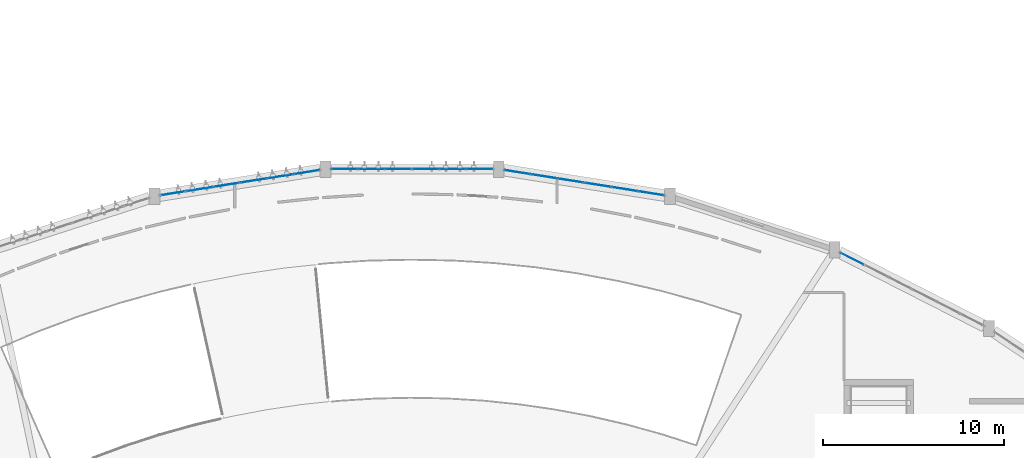
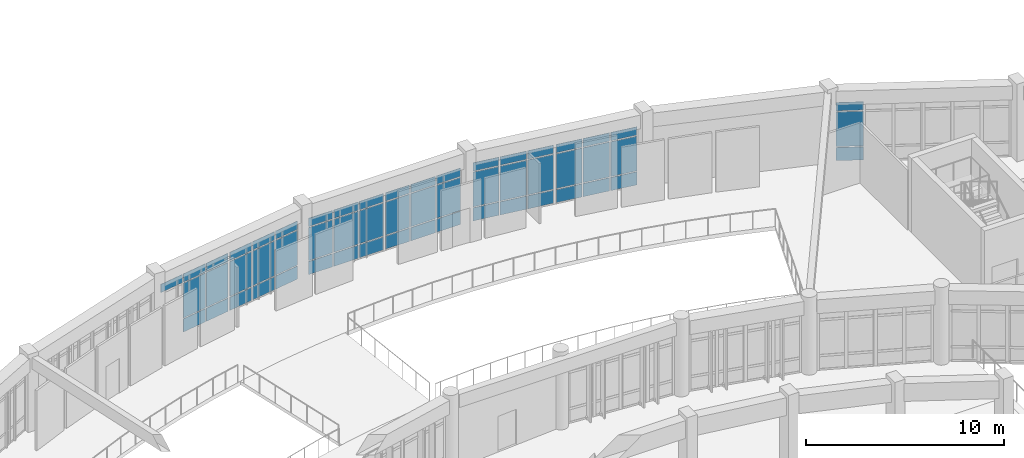
# One storey, part 43 of 65: 55 plates, 7 elements without a shape of their own.
"""IFC4 building model written with IfcOpenShell, lengths in metres."""

from ifc_helpers import new_model, si_unit, direction, frame, origin, origin_2d, place, context, subcontext, project, spatial, rectangle, extrude, material, layer, layer_set, type_object, element, aggregate, save


model = new_model("IFC4")

# Units and contexts
model_context = context("Model", 3, precision=1e-05, world=origin(), true_north=direction((0.0, 1.0)))
body_context = subcontext(model_context, "Body", "Model", "MODEL_VIEW")
ifc_project = project(units=[si_unit("LENGTHUNIT", "METRE"), si_unit("AREAUNIT", "SQUARE_METRE"), si_unit("VOLUMEUNIT", "CUBIC_METRE"), si_unit("PLANEANGLEUNIT", "RADIAN"), si_unit("MASSUNIT", "GRAM", prefix="KILO")], contexts=[model_context])

# Site, building, storey
site_placement = place(None, origin())
site = spatial("IfcSite", under=ifc_project, at=site_placement, CompositionType="ELEMENT")
building_placement = place(site_placement, origin())
building = spatial("IfcBuilding", under=site, at=building_placement, Name="Miralva Faculty of Natural Sciences", CompositionType="ELEMENT")
storey_placement = place(building_placement, frame((0.0, 0.0, 10.199951171875)))
storey = spatial("IfcBuildingStorey", under=building, at=storey_placement, Name="L02", CompositionType="ELEMENT", Elevation=10.199951171875)

# Curtain wall, plates
ifc_material = material(Name="Laminated solar-control glass", Category="glass")
ifc_layer_1 = layer(ifc_material, 0.179931640625, Name="CW-ARC-L01")
ifc_layer_set_1 = layer_set([ifc_layer_1], Name="Laminated solar-control glass")
curtain_wall_type = type_object("IfcCurtainWallType", Name="CW-ARC-L01", PredefinedType="USERDEFINED", material=ifc_layer_set_1)
curtain_wall_1_placement = place(storey_placement, origin())
curtain_wall_1 = element("IfcCurtainWall", 1, at=curtain_wall_1_placement, inside=storey, type_object=curtain_wall_type, Name="Curtain wall CW-02 L02-83", ObjectType="UNITISED CURTAIN WALL", PredefinedType="USERDEFINED")
ifc_layer_2 = layer(ifc_material, 0.028076171875, Name="PNL-P01")
ifc_layer_set_2 = layer_set([ifc_layer_2], Name="Laminated solar-control glass")
plate_type = type_object("IfcPlateType", Name="PNL-P01", PredefinedType="CURTAIN_PANEL", material=ifc_layer_set_2)
plate_1_placement = place(storey_placement, frame((76.79833984375, 38.47900390625, 3.13525390625), z_axis=(0.0, 0.0, 1.0), x_axis=(0.987688816642, 0.156431459367, 0.0)))
plate_1 = element("IfcPlate", 2, at=plate_1_placement, type_object=plate_type, Name="CW-02 panel 1.3", PredefinedType="CURTAIN_PANEL", context=body_context, shape_type="SweptSolid", body=[
    extrude(rectangle(XDim=1.40283203125, YDim=0.028076171875, at=origin_2d()), origin(), (0.0, 0.0, 1.0), 0.510009765625),
])
plate_2_placement = place(storey_placement, frame((78.26416015625, 38.711181640625, 0.06005859375), z_axis=(0.0, 0.0, 1.0), x_axis=(0.987688816642, 0.156431459367, 0.0)))
plate_2 = element("IfcPlate", 3, at=plate_2_placement, type_object=plate_type, Name="CW-02 panel 2.1", PredefinedType="CURTAIN_PANEL", context=body_context, shape_type="SweptSolid", body=[
    extrude(rectangle(XDim=1.435302734375, YDim=0.028076171875, at=origin_2d()), origin(), (0.0, 0.0, 1.0), 0.81005859375),
])
plate_3_placement = place(storey_placement, frame((78.26416015625, 38.711181640625, 0.929931640625), z_axis=(0.0, 0.0, 1.0), x_axis=(0.987688816642, 0.156431459367, 0.0)))
plate_3 = element("IfcPlate", 4, at=plate_3_placement, type_object=plate_type, Name="CW-02 panel 2.2", PredefinedType="CURTAIN_PANEL", context=body_context, shape_type="SweptSolid", body=[
    extrude(rectangle(XDim=1.435302734375, YDim=0.028076171875, at=origin_2d()), origin(), (0.0, 0.0, 1.0), 2.14501953125),
])
plate_4_placement = place(storey_placement, frame((78.26416015625, 38.711181640625, 3.13525390625), z_axis=(0.0, 0.0, 1.0), x_axis=(0.987688816642, 0.156431459367, 0.0)))
plate_4 = element("IfcPlate", 5, at=plate_4_placement, type_object=plate_type, Name="CW-02 panel 2.3", PredefinedType="CURTAIN_PANEL", context=body_context, shape_type="SweptSolid", body=[
    extrude(rectangle(XDim=1.435302734375, YDim=0.028076171875, at=origin_2d()), origin(), (0.0, 0.0, 1.0), 0.510009765625),
])
plate_5_placement = place(storey_placement, frame((79.72998046875, 38.943359375, 0.06005859375), z_axis=(0.0, 0.0, 1.0), x_axis=(0.987688816642, 0.156431459367, 0.0)))
plate_5 = element("IfcPlate", 6, at=plate_5_placement, type_object=plate_type, Name="CW-02 panel 3.1", PredefinedType="CURTAIN_PANEL", context=body_context, shape_type="SweptSolid", body=[
    extrude(rectangle(XDim=1.40283203125, YDim=0.028076171875, at=origin_2d()), origin(), (0.0, 0.0, 1.0), 0.81005859375),
])
plate_6_placement = place(storey_placement, frame((79.72998046875, 38.943359375, 0.929931640625), z_axis=(0.0, 0.0, 1.0), x_axis=(0.987688816642, 0.156431459367, 0.0)))
plate_6 = element("IfcPlate", 7, at=plate_6_placement, type_object=plate_type, Name="CW-02 panel 3.2", PredefinedType="CURTAIN_PANEL", context=body_context, shape_type="SweptSolid", body=[
    extrude(rectangle(XDim=1.40283203125, YDim=0.028076171875, at=origin_2d()), origin(), (0.0, 0.0, 1.0), 2.14501953125),
])
plate_7_placement = place(storey_placement, frame((79.72998046875, 38.943359375, 3.13525390625), z_axis=(0.0, 0.0, 1.0), x_axis=(0.987688816642, 0.156431459367, 0.0)))
plate_7 = element("IfcPlate", 8, at=plate_7_placement, type_object=plate_type, Name="CW-02 panel 3.3", PredefinedType="CURTAIN_PANEL", context=body_context, shape_type="SweptSolid", body=[
    extrude(rectangle(XDim=1.40283203125, YDim=0.028076171875, at=origin_2d()), origin(), (0.0, 0.0, 1.0), 0.510009765625),
])
aggregate(curtain_wall_1, [plate_1, plate_2, plate_3, plate_4, plate_5, plate_6, plate_7])

curtain_wall_2_placement = place(storey_placement, origin())
curtain_wall_2 = element("IfcCurtainWall", 9, at=curtain_wall_2_placement, inside=storey, type_object=curtain_wall_type, Name="Curtain wall CW-02 L02-84", ObjectType="UNITISED CURTAIN WALL", PredefinedType="USERDEFINED")
plate_8_placement = place(storey_placement, frame((81.23974609375, 39.1826171875, 0.06005859375), z_axis=(0.0, 0.0, 1.0), x_axis=(0.987691424827, 0.156414990722, 0.0)))
plate_8 = element("IfcPlate", 10, at=plate_8_placement, type_object=plate_type, Name="CW-02 panel 1.1", PredefinedType="CURTAIN_PANEL", context=body_context, shape_type="SweptSolid", body=[
    extrude(rectangle(XDim=1.404541015625, YDim=0.028076171875, at=origin_2d()), origin(), (0.0, 0.0, 1.0), 0.81005859375),
])
plate_9_placement = place(storey_placement, frame((81.23974609375, 39.1826171875, 0.929931640625), z_axis=(0.0, 0.0, 1.0), x_axis=(0.987691424827, 0.156414990722, 0.0)))
plate_9 = element("IfcPlate", 11, at=plate_9_placement, type_object=plate_type, Name="CW-02 panel 1.2", PredefinedType="CURTAIN_PANEL", context=body_context, shape_type="SweptSolid", body=[
    extrude(rectangle(XDim=1.404541015625, YDim=0.028076171875, at=origin_2d()), origin(), (0.0, 0.0, 1.0), 2.14501953125),
])
plate_10_placement = place(storey_placement, frame((81.23974609375, 39.1826171875, 3.13525390625), z_axis=(0.0, 0.0, 1.0), x_axis=(0.987691424827, 0.156414990722, 0.0)))
plate_10 = element("IfcPlate", 12, at=plate_10_placement, type_object=plate_type, Name="CW-02 panel 1.3", PredefinedType="CURTAIN_PANEL", context=body_context, shape_type="SweptSolid", body=[
    extrude(rectangle(XDim=1.404541015625, YDim=0.028076171875, at=origin_2d()), origin(), (0.0, 0.0, 1.0), 0.510009765625),
])
plate_11_placement = place(storey_placement, frame((82.707275390625, 39.414794921875, 0.06005859375), z_axis=(0.0, 0.0, 1.0), x_axis=(0.987691424827, 0.156414990722, 0.0)))
plate_11 = element("IfcPlate", 13, at=plate_11_placement, type_object=plate_type, Name="CW-02 panel 2.1", PredefinedType="CURTAIN_PANEL", context=body_context, shape_type="SweptSolid", body=[
    extrude(rectangle(XDim=1.43701171875, YDim=0.028076171875, at=origin_2d()), origin(), (0.0, 0.0, 1.0), 0.81005859375),
])
plate_12_placement = place(storey_placement, frame((82.707275390625, 39.414794921875, 0.929931640625), z_axis=(0.0, 0.0, 1.0), x_axis=(0.987691424827, 0.156414990722, 0.0)))
plate_12 = element("IfcPlate", 14, at=plate_12_placement, type_object=plate_type, Name="CW-02 panel 2.2", PredefinedType="CURTAIN_PANEL", context=body_context, shape_type="SweptSolid", body=[
    extrude(rectangle(XDim=1.43701171875, YDim=0.028076171875, at=origin_2d()), origin(), (0.0, 0.0, 1.0), 2.14501953125),
])
plate_13_placement = place(storey_placement, frame((82.707275390625, 39.414794921875, 3.13525390625), z_axis=(0.0, 0.0, 1.0), x_axis=(0.987691424827, 0.156414990722, 0.0)))
plate_13 = element("IfcPlate", 15, at=plate_13_placement, type_object=plate_type, Name="CW-02 panel 2.3", PredefinedType="CURTAIN_PANEL", context=body_context, shape_type="SweptSolid", body=[
    extrude(rectangle(XDim=1.43701171875, YDim=0.028076171875, at=origin_2d()), origin(), (0.0, 0.0, 1.0), 0.510009765625),
])
plate_14_placement = place(storey_placement, frame((84.1748046875, 39.647216796875, 0.06005859375), z_axis=(0.0, 0.0, 1.0), x_axis=(0.987691424827, 0.156414990722, 0.0)))
plate_14 = element("IfcPlate", 16, at=plate_14_placement, type_object=plate_type, Name="CW-02 panel 3.1", PredefinedType="CURTAIN_PANEL", context=body_context, shape_type="SweptSolid", body=[
    extrude(rectangle(XDim=1.404541015625, YDim=0.028076171875, at=origin_2d()), origin(), (0.0, 0.0, 1.0), 0.81005859375),
])
plate_15_placement = place(storey_placement, frame((84.1748046875, 39.647216796875, 0.929931640625), z_axis=(0.0, 0.0, 1.0), x_axis=(0.987691424827, 0.156414990722, 0.0)))
plate_15 = element("IfcPlate", 17, at=plate_15_placement, type_object=plate_type, Name="CW-02 panel 3.2", PredefinedType="CURTAIN_PANEL", context=body_context, shape_type="SweptSolid", body=[
    extrude(rectangle(XDim=1.404541015625, YDim=0.028076171875, at=origin_2d()), origin(), (0.0, 0.0, 1.0), 2.14501953125),
])
plate_16_placement = place(storey_placement, frame((84.1748046875, 39.647216796875, 3.13525390625), z_axis=(0.0, 0.0, 1.0), x_axis=(0.987691424827, 0.156414990722, 0.0)))
plate_16 = element("IfcPlate", 18, at=plate_16_placement, type_object=plate_type, Name="CW-02 panel 3.3", PredefinedType="CURTAIN_PANEL", context=body_context, shape_type="SweptSolid", body=[
    extrude(rectangle(XDim=1.404541015625, YDim=0.028076171875, at=origin_2d()), origin(), (0.0, 0.0, 1.0), 0.510009765625),
])
aggregate(curtain_wall_2, [plate_8, plate_9, plate_10, plate_11, plate_12, plate_13, plate_14, plate_15, plate_16])

curtain_wall_3_placement = place(storey_placement, origin())
curtain_wall_3 = element("IfcCurtainWall", 19, at=curtain_wall_3_placement, inside=storey, type_object=curtain_wall_type, Name="Curtain wall CW-02 L02-85", ObjectType="UNITISED CURTAIN WALL", PredefinedType="USERDEFINED")
plate_17_placement = place(storey_placement, frame((86.265380859375, 39.81201171875, 0.06005859375), z_axis=(0.0, 0.0, 1.0), x_axis=(1.0, 0.0, 0.0)))
plate_17 = element("IfcPlate", 20, at=plate_17_placement, type_object=plate_type, Name="CW-02 panel 1.1", PredefinedType="CURTAIN_PANEL", context=body_context, shape_type="SweptSolid", body=[
    extrude(rectangle(XDim=1.40283203125, YDim=0.028076171875, at=origin_2d()), origin(), (0.0, 0.0, 1.0), 0.81005859375),
])
plate_18_placement = place(storey_placement, frame((86.265380859375, 39.81201171875, 0.93017578125), z_axis=(0.0, 0.0, 1.0), x_axis=(1.0, 0.0, 0.0)))
plate_18 = element("IfcPlate", 21, at=plate_18_placement, type_object=plate_type, Name="CW-02 panel 1.2", PredefinedType="CURTAIN_PANEL", context=body_context, shape_type="SweptSolid", body=[
    extrude(rectangle(XDim=1.40283203125, YDim=0.028076171875, at=origin_2d()), origin(), (0.0, 0.0, 1.0), 2.034912109375),
])
plate_19_placement = place(storey_placement, frame((86.265380859375, 39.81201171875, 3.02490234375), z_axis=(0.0, 0.0, 1.0), x_axis=(1.0, 0.0, 0.0)))
plate_19 = element("IfcPlate", 22, at=plate_19_placement, type_object=plate_type, Name="CW-02 panel 1.3", PredefinedType="CURTAIN_PANEL", context=body_context, shape_type="SweptSolid", body=[
    extrude(rectangle(XDim=1.40283203125, YDim=0.028076171875, at=origin_2d()), origin(), (0.0, 0.0, 1.0), 0.510009765625),
])
plate_20_placement = place(storey_placement, frame((87.74951171875, 39.81201171875, 0.06005859375), z_axis=(0.0, 0.0, 1.0), x_axis=(1.0, 0.0, 0.0)))
plate_20 = element("IfcPlate", 23, at=plate_20_placement, type_object=plate_type, Name="CW-02 panel 2.1", PredefinedType="CURTAIN_PANEL", context=body_context, shape_type="SweptSolid", body=[
    extrude(rectangle(XDim=1.435302734375, YDim=0.028076171875, at=origin_2d()), origin(), (0.0, 0.0, 1.0), 0.81005859375),
])
plate_21_placement = place(storey_placement, frame((87.74951171875, 39.81201171875, 0.93017578125), z_axis=(0.0, 0.0, 1.0), x_axis=(1.0, 0.0, 0.0)))
plate_21 = element("IfcPlate", 24, at=plate_21_placement, type_object=plate_type, Name="CW-02 panel 2.2", PredefinedType="CURTAIN_PANEL", context=body_context, shape_type="SweptSolid", body=[
    extrude(rectangle(XDim=1.435302734375, YDim=0.028076171875, at=origin_2d()), origin(), (0.0, 0.0, 1.0), 2.034912109375),
])
plate_22_placement = place(storey_placement, frame((87.74951171875, 39.81201171875, 3.02490234375), z_axis=(0.0, 0.0, 1.0), x_axis=(1.0, 0.0, 0.0)))
plate_22 = element("IfcPlate", 25, at=plate_22_placement, type_object=plate_type, Name="CW-02 panel 2.3", PredefinedType="CURTAIN_PANEL", context=body_context, shape_type="SweptSolid", body=[
    extrude(rectangle(XDim=1.435302734375, YDim=0.028076171875, at=origin_2d()), origin(), (0.0, 0.0, 1.0), 0.510009765625),
])
plate_23_placement = place(storey_placement, frame((89.233642578125, 39.81201171875, 0.06005859375), z_axis=(0.0, 0.0, 1.0), x_axis=(1.0, 0.0, 0.0)))
plate_23 = element("IfcPlate", 26, at=plate_23_placement, type_object=plate_type, Name="CW-02 panel 3.1", PredefinedType="CURTAIN_PANEL", context=body_context, shape_type="SweptSolid", body=[
    extrude(rectangle(XDim=1.40283203125, YDim=0.028076171875, at=origin_2d()), origin(), (0.0, 0.0, 1.0), 0.81005859375),
])
plate_24_placement = place(storey_placement, frame((89.233642578125, 39.81201171875, 0.93017578125), z_axis=(0.0, 0.0, 1.0), x_axis=(1.0, 0.0, 0.0)))
plate_24 = element("IfcPlate", 27, at=plate_24_placement, type_object=plate_type, Name="CW-02 panel 3.2", PredefinedType="CURTAIN_PANEL", context=body_context, shape_type="SweptSolid", body=[
    extrude(rectangle(XDim=1.40283203125, YDim=0.028076171875, at=origin_2d()), origin(), (0.0, 0.0, 1.0), 2.034912109375),
])
plate_25_placement = place(storey_placement, frame((89.233642578125, 39.81201171875, 3.02490234375), z_axis=(0.0, 0.0, 1.0), x_axis=(1.0, 0.0, 0.0)))
plate_25 = element("IfcPlate", 28, at=plate_25_placement, type_object=plate_type, Name="CW-02 panel 3.3", PredefinedType="CURTAIN_PANEL", context=body_context, shape_type="SweptSolid", body=[
    extrude(rectangle(XDim=1.40283203125, YDim=0.028076171875, at=origin_2d()), origin(), (0.0, 0.0, 1.0), 0.510009765625),
])
aggregate(curtain_wall_3, [plate_17, plate_18, plate_19, plate_20, plate_21, plate_22, plate_23, plate_24, plate_25])

curtain_wall_4_placement = place(storey_placement, origin())
curtain_wall_4 = element("IfcCurtainWall", 29, at=curtain_wall_4_placement, inside=storey, type_object=curtain_wall_type, Name="Curtain wall CW-02 L02-86", ObjectType="UNITISED CURTAIN WALL", PredefinedType="USERDEFINED")
plate_26_placement = place(storey_placement, frame((90.76220703125, 39.81201171875, 0.06005859375), z_axis=(0.0, 0.0, 1.0), x_axis=(1.0, 0.0, 0.0)))
plate_26 = element("IfcPlate", 30, at=plate_26_placement, type_object=plate_type, Name="CW-02 panel 1.1", PredefinedType="CURTAIN_PANEL", context=body_context, shape_type="SweptSolid", body=[
    extrude(rectangle(XDim=1.404541015625, YDim=0.028076171875, at=origin_2d()), origin(), (0.0, 0.0, 1.0), 0.81005859375),
])
plate_27_placement = place(storey_placement, frame((90.76220703125, 39.81201171875, 0.93017578125), z_axis=(0.0, 0.0, 1.0), x_axis=(1.0, 0.0, 0.0)))
plate_27 = element("IfcPlate", 31, at=plate_27_placement, type_object=plate_type, Name="CW-02 panel 1.2", PredefinedType="CURTAIN_PANEL", context=body_context, shape_type="SweptSolid", body=[
    extrude(rectangle(XDim=1.404541015625, YDim=0.028076171875, at=origin_2d()), origin(), (0.0, 0.0, 1.0), 2.034912109375),
])
plate_28_placement = place(storey_placement, frame((90.76220703125, 39.81201171875, 3.02490234375), z_axis=(0.0, 0.0, 1.0), x_axis=(1.0, 0.0, 0.0)))
plate_28 = element("IfcPlate", 32, at=plate_28_placement, type_object=plate_type, Name="CW-02 panel 1.3", PredefinedType="CURTAIN_PANEL", context=body_context, shape_type="SweptSolid", body=[
    extrude(rectangle(XDim=1.404541015625, YDim=0.028076171875, at=origin_2d()), origin(), (0.0, 0.0, 1.0), 0.510009765625),
])
plate_29_placement = place(storey_placement, frame((92.248046875, 39.81201171875, 0.06005859375), z_axis=(0.0, 0.0, 1.0), x_axis=(1.0, 0.0, 0.0)))
plate_29 = element("IfcPlate", 33, at=plate_29_placement, type_object=plate_type, Name="CW-02 panel 2.1", PredefinedType="CURTAIN_PANEL", context=body_context, shape_type="SweptSolid", body=[
    extrude(rectangle(XDim=1.43701171875, YDim=0.028076171875, at=origin_2d()), origin(), (0.0, 0.0, 1.0), 0.81005859375),
])
plate_30_placement = place(storey_placement, frame((92.248046875, 39.81201171875, 0.93017578125), z_axis=(0.0, 0.0, 1.0), x_axis=(1.0, 0.0, 0.0)))
plate_30 = element("IfcPlate", 34, at=plate_30_placement, type_object=plate_type, Name="CW-02 panel 2.2", PredefinedType="CURTAIN_PANEL", context=body_context, shape_type="SweptSolid", body=[
    extrude(rectangle(XDim=1.43701171875, YDim=0.028076171875, at=origin_2d()), origin(), (0.0, 0.0, 1.0), 2.034912109375),
])
plate_31_placement = place(storey_placement, frame((92.248046875, 39.81201171875, 3.02490234375), z_axis=(0.0, 0.0, 1.0), x_axis=(1.0, 0.0, 0.0)))
plate_31 = element("IfcPlate", 35, at=plate_31_placement, type_object=plate_type, Name="CW-02 panel 2.3", PredefinedType="CURTAIN_PANEL", context=body_context, shape_type="SweptSolid", body=[
    extrude(rectangle(XDim=1.43701171875, YDim=0.028076171875, at=origin_2d()), origin(), (0.0, 0.0, 1.0), 0.510009765625),
])
plate_32_placement = place(storey_placement, frame((93.733642578125, 39.81201171875, 0.06005859375), z_axis=(0.0, 0.0, 1.0), x_axis=(1.0, 0.0, 0.0)))
plate_32 = element("IfcPlate", 36, at=plate_32_placement, type_object=plate_type, Name="CW-02 panel 3.1", PredefinedType="CURTAIN_PANEL", context=body_context, shape_type="SweptSolid", body=[
    extrude(rectangle(XDim=1.404541015625, YDim=0.028076171875, at=origin_2d()), origin(), (0.0, 0.0, 1.0), 0.81005859375),
])
plate_33_placement = place(storey_placement, frame((93.733642578125, 39.81201171875, 0.93017578125), z_axis=(0.0, 0.0, 1.0), x_axis=(1.0, 0.0, 0.0)))
plate_33 = element("IfcPlate", 37, at=plate_33_placement, type_object=plate_type, Name="CW-02 panel 3.2", PredefinedType="CURTAIN_PANEL", context=body_context, shape_type="SweptSolid", body=[
    extrude(rectangle(XDim=1.404541015625, YDim=0.028076171875, at=origin_2d()), origin(), (0.0, 0.0, 1.0), 2.034912109375),
])
plate_34_placement = place(storey_placement, frame((93.733642578125, 39.81201171875, 3.02490234375), z_axis=(0.0, 0.0, 1.0), x_axis=(1.0, 0.0, 0.0)))
plate_34 = element("IfcPlate", 38, at=plate_34_placement, type_object=plate_type, Name="CW-02 panel 3.3", PredefinedType="CURTAIN_PANEL", context=body_context, shape_type="SweptSolid", body=[
    extrude(rectangle(XDim=1.404541015625, YDim=0.028076171875, at=origin_2d()), origin(), (0.0, 0.0, 1.0), 0.510009765625),
])
aggregate(curtain_wall_4, [plate_26, plate_27, plate_28, plate_29, plate_30, plate_31, plate_32, plate_33, plate_34])

curtain_wall_5_placement = place(storey_placement, origin())
curtain_wall_5 = element("IfcCurtainWall", 39, at=curtain_wall_5_placement, inside=storey, type_object=curtain_wall_type, Name="Curtain wall CW-02 L02-87", ObjectType="UNITISED CURTAIN WALL", PredefinedType="USERDEFINED")
plate_35_placement = place(storey_placement, frame((95.824462890625, 39.6474609375, 0.06005859375), z_axis=(0.0, 0.0, 1.0), x_axis=(0.987692249099, -0.15640978572, 0.0)))
plate_35 = element("IfcPlate", 40, at=plate_35_placement, type_object=plate_type, Name="CW-02 panel 1.1", PredefinedType="CURTAIN_PANEL", context=body_context, shape_type="SweptSolid", body=[
    extrude(rectangle(XDim=1.40283203125, YDim=0.028076171875, at=origin_2d()), origin(), (0.0, 0.0, 1.0), 0.81005859375),
])
plate_36_placement = place(storey_placement, frame((95.824462890625, 39.6474609375, 0.929931640625), z_axis=(0.0, 0.0, 1.0), x_axis=(0.987692249099, -0.15640978572, 0.0)))
plate_36 = element("IfcPlate", 41, at=plate_36_placement, type_object=plate_type, Name="CW-02 panel 1.2", PredefinedType="CURTAIN_PANEL", context=body_context, shape_type="SweptSolid", body=[
    extrude(rectangle(XDim=1.40283203125, YDim=0.028076171875, at=origin_2d()), origin(), (0.0, 0.0, 1.0), 2.14501953125),
])
plate_37_placement = place(storey_placement, frame((95.824462890625, 39.6474609375, 3.13525390625), z_axis=(0.0, 0.0, 1.0), x_axis=(0.987692249099, -0.15640978572, 0.0)))
plate_37 = element("IfcPlate", 42, at=plate_37_placement, type_object=plate_type, Name="CW-02 panel 1.3", PredefinedType="CURTAIN_PANEL", context=body_context, shape_type="SweptSolid", body=[
    extrude(rectangle(XDim=1.40283203125, YDim=0.028076171875, at=origin_2d()), origin(), (0.0, 0.0, 1.0), 0.510009765625),
])
plate_38_placement = place(storey_placement, frame((97.290283203125, 39.415283203125, 0.06005859375), z_axis=(0.0, 0.0, 1.0), x_axis=(0.987692249099, -0.15640978572, 0.0)))
plate_38 = element("IfcPlate", 43, at=plate_38_placement, type_object=plate_type, Name="CW-02 panel 2.1", PredefinedType="CURTAIN_PANEL", context=body_context, shape_type="SweptSolid", body=[
    extrude(rectangle(XDim=1.435302734375, YDim=0.028076171875, at=origin_2d()), origin(), (0.0, 0.0, 1.0), 0.81005859375),
])
plate_39_placement = place(storey_placement, frame((97.290283203125, 39.415283203125, 0.929931640625), z_axis=(0.0, 0.0, 1.0), x_axis=(0.987692249099, -0.15640978572, 0.0)))
plate_39 = element("IfcPlate", 44, at=plate_39_placement, type_object=plate_type, Name="CW-02 panel 2.2", PredefinedType="CURTAIN_PANEL", context=body_context, shape_type="SweptSolid", body=[
    extrude(rectangle(XDim=1.435302734375, YDim=0.028076171875, at=origin_2d()), origin(), (0.0, 0.0, 1.0), 2.14501953125),
])
plate_40_placement = place(storey_placement, frame((97.290283203125, 39.415283203125, 3.13525390625), z_axis=(0.0, 0.0, 1.0), x_axis=(0.987692249099, -0.15640978572, 0.0)))
plate_40 = element("IfcPlate", 45, at=plate_40_placement, type_object=plate_type, Name="CW-02 panel 2.3", PredefinedType="CURTAIN_PANEL", context=body_context, shape_type="SweptSolid", body=[
    extrude(rectangle(XDim=1.435302734375, YDim=0.028076171875, at=origin_2d()), origin(), (0.0, 0.0, 1.0), 0.510009765625),
])
plate_41_placement = place(storey_placement, frame((98.756103515625, 39.18310546875, 0.06005859375), z_axis=(0.0, 0.0, 1.0), x_axis=(0.987692249099, -0.15640978572, 0.0)))
plate_41 = element("IfcPlate", 46, at=plate_41_placement, type_object=plate_type, Name="CW-02 panel 3.1", PredefinedType="CURTAIN_PANEL", context=body_context, shape_type="SweptSolid", body=[
    extrude(rectangle(XDim=1.40283203125, YDim=0.028076171875, at=origin_2d()), origin(), (0.0, 0.0, 1.0), 0.81005859375),
])
plate_42_placement = place(storey_placement, frame((98.756103515625, 39.18310546875, 0.929931640625), z_axis=(0.0, 0.0, 1.0), x_axis=(0.987692249099, -0.15640978572, 0.0)))
plate_42 = element("IfcPlate", 47, at=plate_42_placement, type_object=plate_type, Name="CW-02 panel 3.2", PredefinedType="CURTAIN_PANEL", context=body_context, shape_type="SweptSolid", body=[
    extrude(rectangle(XDim=1.40283203125, YDim=0.028076171875, at=origin_2d()), origin(), (0.0, 0.0, 1.0), 2.14501953125),
])
plate_43_placement = place(storey_placement, frame((98.756103515625, 39.18310546875, 3.13525390625), z_axis=(0.0, 0.0, 1.0), x_axis=(0.987692249099, -0.15640978572, 0.0)))
plate_43 = element("IfcPlate", 48, at=plate_43_placement, type_object=plate_type, Name="CW-02 panel 3.3", PredefinedType="CURTAIN_PANEL", context=body_context, shape_type="SweptSolid", body=[
    extrude(rectangle(XDim=1.40283203125, YDim=0.028076171875, at=origin_2d()), origin(), (0.0, 0.0, 1.0), 0.510009765625),
])
aggregate(curtain_wall_5, [plate_35, plate_36, plate_37, plate_38, plate_39, plate_40, plate_41, plate_42, plate_43])

curtain_wall_6_placement = place(storey_placement, origin())
curtain_wall_6 = element("IfcCurtainWall", 49, at=curtain_wall_6_placement, inside=storey, type_object=curtain_wall_type, Name="Curtain wall CW-02 L02-88", ObjectType="UNITISED CURTAIN WALL", PredefinedType="USERDEFINED")
plate_44_placement = place(storey_placement, frame((100.26611328125, 38.944091796875, 0.06005859375), z_axis=(0.0, 0.0, 1.0), x_axis=(0.987687996038, -0.156436640476, 0.0)))
plate_44 = element("IfcPlate", 50, at=plate_44_placement, type_object=plate_type, Name="CW-02 panel 1.1", PredefinedType="CURTAIN_PANEL", context=body_context, shape_type="SweptSolid", body=[
    extrude(rectangle(XDim=1.404541015625, YDim=0.028076171875, at=origin_2d()), origin(), (0.0, 0.0, 1.0), 0.81005859375),
])
plate_45_placement = place(storey_placement, frame((100.26611328125, 38.944091796875, 0.929931640625), z_axis=(0.0, 0.0, 1.0), x_axis=(0.987687996038, -0.156436640476, 0.0)))
plate_45 = element("IfcPlate", 51, at=plate_45_placement, type_object=plate_type, Name="CW-02 panel 1.2", PredefinedType="CURTAIN_PANEL", context=body_context, shape_type="SweptSolid", body=[
    extrude(rectangle(XDim=1.404541015625, YDim=0.028076171875, at=origin_2d()), origin(), (0.0, 0.0, 1.0), 2.14501953125),
])
plate_46_placement = place(storey_placement, frame((100.26611328125, 38.944091796875, 3.13525390625), z_axis=(0.0, 0.0, 1.0), x_axis=(0.987687996038, -0.156436640476, 0.0)))
plate_46 = element("IfcPlate", 52, at=plate_46_placement, type_object=plate_type, Name="CW-02 panel 1.3", PredefinedType="CURTAIN_PANEL", context=body_context, shape_type="SweptSolid", body=[
    extrude(rectangle(XDim=1.404541015625, YDim=0.028076171875, at=origin_2d()), origin(), (0.0, 0.0, 1.0), 0.510009765625),
])
plate_47_placement = place(storey_placement, frame((101.7333984375, 38.711669921875, 0.06005859375), z_axis=(0.0, 0.0, 1.0), x_axis=(0.987687996038, -0.156436640476, 0.0)))
plate_47 = element("IfcPlate", 53, at=plate_47_placement, type_object=plate_type, Name="CW-02 panel 2.1", PredefinedType="CURTAIN_PANEL", context=body_context, shape_type="SweptSolid", body=[
    extrude(rectangle(XDim=1.43701171875, YDim=0.028076171875, at=origin_2d()), origin(), (0.0, 0.0, 1.0), 0.81005859375),
])
plate_48_placement = place(storey_placement, frame((101.7333984375, 38.711669921875, 0.929931640625), z_axis=(0.0, 0.0, 1.0), x_axis=(0.987687996038, -0.156436640476, 0.0)))
plate_48 = element("IfcPlate", 54, at=plate_48_placement, type_object=plate_type, Name="CW-02 panel 2.2", PredefinedType="CURTAIN_PANEL", context=body_context, shape_type="SweptSolid", body=[
    extrude(rectangle(XDim=1.43701171875, YDim=0.028076171875, at=origin_2d()), origin(), (0.0, 0.0, 1.0), 2.14501953125),
])
plate_49_placement = place(storey_placement, frame((101.7333984375, 38.711669921875, 3.13525390625), z_axis=(0.0, 0.0, 1.0), x_axis=(0.987687996038, -0.156436640476, 0.0)))
plate_49 = element("IfcPlate", 55, at=plate_49_placement, type_object=plate_type, Name="CW-02 panel 2.3", PredefinedType="CURTAIN_PANEL", context=body_context, shape_type="SweptSolid", body=[
    extrude(rectangle(XDim=1.43701171875, YDim=0.028076171875, at=origin_2d()), origin(), (0.0, 0.0, 1.0), 0.510009765625),
])
plate_50_placement = place(storey_placement, frame((103.200927734375, 38.479248046875, 0.06005859375), z_axis=(0.0, 0.0, 1.0), x_axis=(0.987687996038, -0.156436640476, 0.0)))
plate_50 = element("IfcPlate", 56, at=plate_50_placement, type_object=plate_type, Name="CW-02 panel 3.1", PredefinedType="CURTAIN_PANEL", context=body_context, shape_type="SweptSolid", body=[
    extrude(rectangle(XDim=1.404541015625, YDim=0.028076171875, at=origin_2d()), origin(), (0.0, 0.0, 1.0), 0.81005859375),
])
plate_51_placement = place(storey_placement, frame((103.200927734375, 38.479248046875, 0.929931640625), z_axis=(0.0, 0.0, 1.0), x_axis=(0.987687996038, -0.156436640476, 0.0)))
plate_51 = element("IfcPlate", 57, at=plate_51_placement, type_object=plate_type, Name="CW-02 panel 3.2", PredefinedType="CURTAIN_PANEL", context=body_context, shape_type="SweptSolid", body=[
    extrude(rectangle(XDim=1.404541015625, YDim=0.028076171875, at=origin_2d()), origin(), (0.0, 0.0, 1.0), 2.14501953125),
])
plate_52_placement = place(storey_placement, frame((103.200927734375, 38.479248046875, 3.13525390625), z_axis=(0.0, 0.0, 1.0), x_axis=(0.987687996038, -0.156436640476, 0.0)))
plate_52 = element("IfcPlate", 58, at=plate_52_placement, type_object=plate_type, Name="CW-02 panel 3.3", PredefinedType="CURTAIN_PANEL", context=body_context, shape_type="SweptSolid", body=[
    extrude(rectangle(XDim=1.404541015625, YDim=0.028076171875, at=origin_2d()), origin(), (0.0, 0.0, 1.0), 0.510009765625),
])
aggregate(curtain_wall_6, [plate_44, plate_45, plate_46, plate_47, plate_48, plate_49, plate_50, plate_51, plate_52])

curtain_wall_7_placement = place(storey_placement, origin())
curtain_wall_7 = element("IfcCurtainWall", 59, at=curtain_wall_7_placement, inside=storey, type_object=curtain_wall_type, Name="Curtain wall CW-02 L02-89", ObjectType="UNITISED CURTAIN WALL", PredefinedType="USERDEFINED")
plate_53_placement = place(storey_placement, frame((114.302734375, 34.867919921875, 0.06005859375), z_axis=(0.0, 0.0, 1.0), x_axis=(0.891015257812, -0.453973358631, 0.0)))
plate_53 = element("IfcPlate", 60, at=plate_53_placement, type_object=plate_type, Name="CW-02 panel 1.1", PredefinedType="CURTAIN_PANEL", context=body_context, shape_type="SweptSolid", body=[
    extrude(rectangle(XDim=1.392822265625, YDim=0.028076171875, at=origin_2d()), origin(), (0.0, 0.0, 1.0), 0.81005859375),
])
plate_54_placement = place(storey_placement, frame((114.302734375, 34.867919921875, 0.929931640625), z_axis=(0.0, 0.0, 1.0), x_axis=(0.891015257812, -0.453973358631, 0.0)))
plate_54 = element("IfcPlate", 61, at=plate_54_placement, type_object=plate_type, Name="CW-02 panel 1.2", PredefinedType="CURTAIN_PANEL", context=body_context, shape_type="SweptSolid", body=[
    extrude(rectangle(XDim=1.392822265625, YDim=0.028076171875, at=origin_2d()), origin(), (0.0, 0.0, 1.0), 2.14501953125),
])
plate_55_placement = place(storey_placement, frame((114.302734375, 34.867919921875, 3.13525390625), z_axis=(0.0, 0.0, 1.0), x_axis=(0.891015257812, -0.453973358631, 0.0)))
plate_55 = element("IfcPlate", 62, at=plate_55_placement, type_object=plate_type, Name="CW-02 panel 1.3", PredefinedType="CURTAIN_PANEL", context=body_context, shape_type="SweptSolid", body=[
    extrude(rectangle(XDim=1.392822265625, YDim=0.028076171875, at=origin_2d()), origin(), (0.0, 0.0, 1.0), 0.510009765625),
])
aggregate(curtain_wall_7, [plate_53, plate_54, plate_55])

save(model, "model.ifc")
